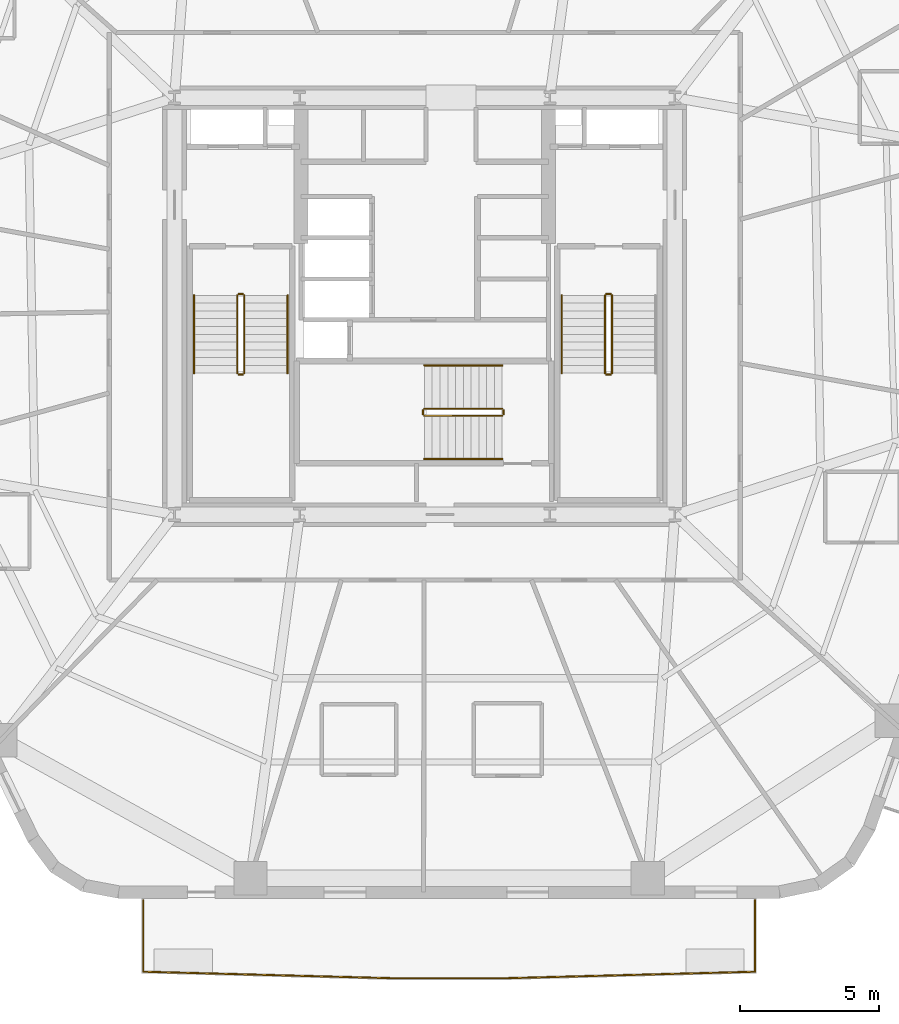
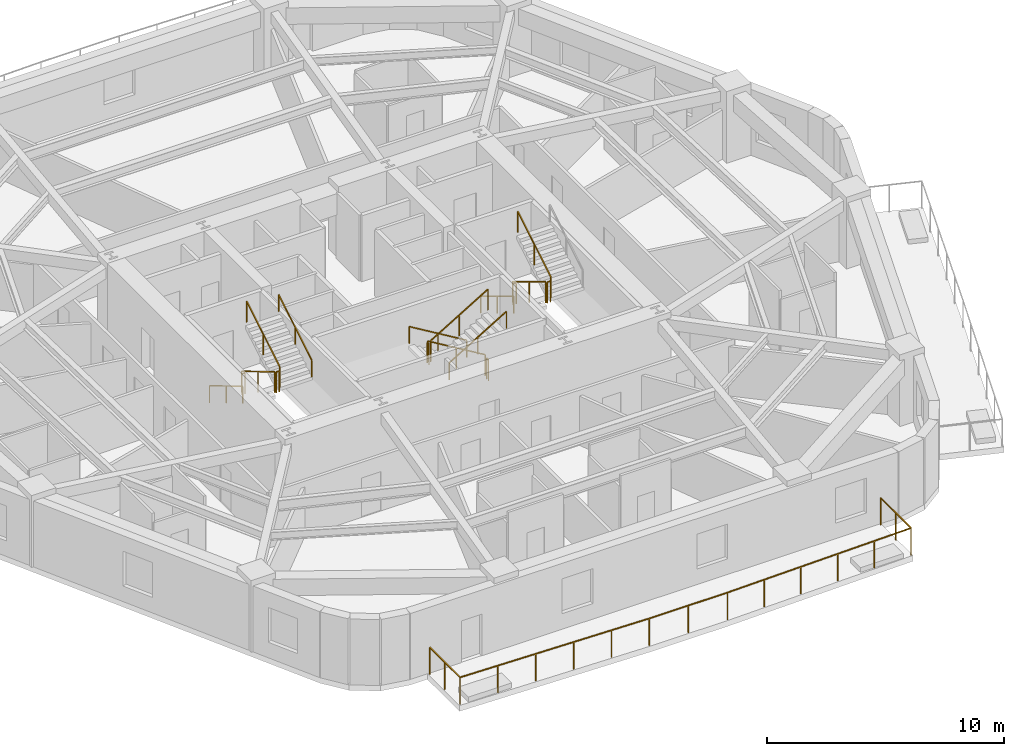
# One storey, part 7 of 8: 18 railings.
"""IFC4 building model written with IfcOpenShell, lengths in metres."""

from ifc_helpers import new_model, si_unit, direction, frame, origin, origin_2d, place, context, subcontext, project, spatial, rectangle, extrude, material, layer, layer_set, type_object, element, save


model = new_model("IFC4")

# Units and contexts
model_context = context("Model", 3, precision=1e-05, world=origin(), true_north=direction((0.0, 1.0)))
body_context = subcontext(model_context, "Body", "Model", "MODEL_VIEW")
ifc_project = project(units=[si_unit("LENGTHUNIT", "METRE"), si_unit("AREAUNIT", "SQUARE_METRE"), si_unit("VOLUMEUNIT", "CUBIC_METRE"), si_unit("PLANEANGLEUNIT", "RADIAN"), si_unit("MASSUNIT", "GRAM", prefix="KILO")], contexts=[model_context])

# Site, building, storey
site_placement = place(None, origin())
site = spatial("IfcSite", under=ifc_project, at=site_placement, CompositionType="ELEMENT")
building_placement = place(site_placement, origin())
building = spatial("IfcBuilding", under=site, at=building_placement, Name="Kilnhurst Terrace Hotel", CompositionType="ELEMENT")
storey_placement = place(building_placement, frame((0.0, 0.0, 109.89990234375)))
storey = spatial("IfcBuildingStorey", under=building, at=storey_placement, Name="L26", CompositionType="ELEMENT", Elevation=109.89990234375)

# Railings
ifc_material_1 = material(Name="Laminated SentryGlas and Stainless Steel AISI 316L Balustrade", Category="steel")
ifc_layer_1 = layer(ifc_material_1, 0.070068359375, Name="Laminated SentryGlas and Stainless Steel AISI 316L Balustrade")
ifc_layer_set_1 = layer_set([ifc_layer_1], Name="Laminated SentryGlas and Stainless Steel AISI 316L Balustrade")
railing_type_1 = type_object("IfcRailingType", Name="RLG-BAL-1420", PredefinedType="BALUSTRADE", material=ifc_layer_set_1)
railing_1_placement = place(storey_placement, frame((11.8837890625, -21.3798828125, 0.0)))
element("IfcRailing", 1, at=railing_1_placement, inside=storey, type_object=railing_type_1, Name="L26 Exterior Terrace Guardrail BAL-L1A.1", PredefinedType="BALUSTRADE", context=body_context, shape_type="SweptSolid", body=[
    extrude(rectangle(XDim=0.048095703125, YDim=0.048095703125, at=origin_2d()), frame((0.0, 0.0, 1.39599609375), z_axis=(0.0, -1.0, 0.0), x_axis=(1.0, 0.0, 0.0)), (0.0, 0.0, 1.0), 2.561767578125),
    extrude(rectangle(XDim=0.048095703125, YDim=0.048095703125, at=origin_2d()), frame((0.0, -2.561767578125, 1.39599609375), z_axis=(-0.999657105501, -0.026185328367, 0.0), x_axis=(0.026185328367, -0.999657105501, 0.0)), (0.0, 0.0, 1.0), 9.099853515625),
    extrude(rectangle(XDim=0.048095703125, YDim=0.048095703125, at=origin_2d()), frame((-9.0966796875, -2.800048828125, 1.39599609375), z_axis=(-1.0, 0.0, 0.0), x_axis=(0.0, -1.0, 0.0)), (0.0, 0.0, 1.0), 3.8134765625),
    extrude(rectangle(XDim=0.048095703125, YDim=0.048095703125, at=origin_2d()), frame((-12.91015625, -2.800048828125, 1.39599609375), z_axis=(-0.999657105501, 0.026185328367, 0.0), x_axis=(-0.026185328367, -0.999657105501, 0.0)), (0.0, 0.0, 1.0), 9.099853515625),
    extrude(rectangle(XDim=0.048095703125, YDim=0.048095703125, at=origin_2d()), frame((-22.0068359375, -2.561767578125, 1.39599609375), z_axis=(0.0, 1.0, 0.0), x_axis=(-1.0, 0.0, 0.0)), (0.0, 0.0, 1.0), 2.561767578125),
    extrude(rectangle(XDim=0.0419921875, YDim=0.0419921875, at=origin_2d()), origin(), (0.0, 0.0, 1.0), 1.371826171875),
    extrude(rectangle(XDim=0.0419921875, YDim=0.0419921875, at=origin_2d()), frame((0.0, -1.28076171875, 0.0)), (0.0, 0.0, 1.0), 1.371826171875),
    extrude(rectangle(XDim=0.0419921875, YDim=0.0419921875, at=origin_2d()), frame((0.0, -2.561767578125, 0.0)), (0.0, 0.0, 1.0), 1.371826171875),
    extrude(rectangle(XDim=0.0419921875, YDim=0.0419921875, at=origin_2d()), frame((-1.8193359375, -2.609375, 0.0)), (0.0, 0.0, 1.0), 1.371826171875),
    extrude(rectangle(XDim=0.0419921875, YDim=0.0419921875, at=origin_2d()), frame((-3.638671875, -2.656982421875, 0.0)), (0.0, 0.0, 1.0), 1.371826171875),
    extrude(rectangle(XDim=0.0419921875, YDim=0.0419921875, at=origin_2d()), frame((-5.4580078125, -2.704833984375, 0.0)), (0.0, 0.0, 1.0), 1.371826171875),
    extrude(rectangle(XDim=0.0419921875, YDim=0.0419921875, at=origin_2d()), frame((-7.27734375, -2.75244140625, 0.0)), (0.0, 0.0, 1.0), 1.371826171875),
    extrude(rectangle(XDim=0.0419921875, YDim=0.0419921875, at=origin_2d()), frame((-9.0966796875, -2.800048828125, 0.0)), (0.0, 0.0, 1.0), 1.371826171875),
    extrude(rectangle(XDim=0.0419921875, YDim=0.0419921875, at=origin_2d()), frame((-11.00341796875, -2.800048828125, 0.0)), (0.0, 0.0, 1.0), 1.371826171875),
    extrude(rectangle(XDim=0.0419921875, YDim=0.0419921875, at=origin_2d()), frame((-12.91015625, -2.800048828125, 0.0)), (0.0, 0.0, 1.0), 1.371826171875),
    extrude(rectangle(XDim=0.0419921875, YDim=0.0419921875, at=origin_2d()), frame((-14.7294921875, -2.75244140625, 0.0)), (0.0, 0.0, 1.0), 1.371826171875),
    extrude(rectangle(XDim=0.0419921875, YDim=0.0419921875, at=origin_2d()), frame((-16.548828125, -2.704833984375, 0.0)), (0.0, 0.0, 1.0), 1.371826171875),
    extrude(rectangle(XDim=0.0419921875, YDim=0.0419921875, at=origin_2d()), frame((-18.3681640625, -2.656982421875, 0.0)), (0.0, 0.0, 1.0), 1.371826171875),
    extrude(rectangle(XDim=0.0419921875, YDim=0.0419921875, at=origin_2d()), frame((-20.1875, -2.609375, 0.0)), (0.0, 0.0, 1.0), 1.371826171875),
    extrude(rectangle(XDim=0.0419921875, YDim=0.0419921875, at=origin_2d()), frame((-22.0068359375, -2.561767578125, 0.0)), (0.0, 0.0, 1.0), 1.371826171875),
    extrude(rectangle(XDim=0.0419921875, YDim=0.0419921875, at=origin_2d()), frame((-22.0068359375, -1.28076171875, 0.0)), (0.0, 0.0, 1.0), 1.371826171875),
    extrude(rectangle(XDim=0.0419921875, YDim=0.0419921875, at=origin_2d()), frame((-22.0068359375, 0.0, 0.0)), (0.0, 0.0, 1.0), 1.371826171875),
])
ifc_material_2 = material(Name="Powder-Coated Steel ASTM A500 Grade B", Category="steel")
ifc_layer_2 = layer(ifc_material_2, 0.050048828125, Name="Powder-Coated Steel ASTM A500 Grade B")
ifc_layer_set_2 = layer_set([ifc_layer_2], Name="Powder-Coated Steel ASTM A500 Grade B")
railing_type_2 = type_object("IfcRailingType", Name="RLG-ST-GRD-1100", PredefinedType="GUARDRAIL", material=ifc_layer_set_2)
railing_2_placement = place(storey_placement, frame((-6.739990234375, 0.389892578125, 0.168212890625)))
element("IfcRailing", 2, at=railing_2_placement, inside=storey, type_object=railing_type_2, Name="L26 ST-1 stair guard 1", PredefinedType="GUARDRAIL", context=body_context, shape_type="SweptSolid", body=[
    extrude(rectangle(XDim=0.048095703125, YDim=0.048095703125, at=origin_2d()), frame((0.0, 0.0, 1.076171875), z_axis=(0.0, -0.857222391501, 0.514946377315), x_axis=(1.0, 0.0, 0.0)), (0.0, 0.0, 1.0), 3.26611328125),
    extrude(rectangle(XDim=0.0419921875, YDim=0.0419921875, at=origin_2d()), origin(), (0.0, 0.0, 1.0), 1.052001953125),
    extrude(rectangle(XDim=0.0419921875, YDim=0.0419921875, at=origin_2d()), frame((0.0, -1.39990234375, 0.8408203125)), (0.0, 0.0, 1.0), 1.052001953125),
    extrude(rectangle(XDim=0.0419921875, YDim=0.0419921875, at=origin_2d()), frame((0.0, -2.7998046875, 1.681884765625)), (0.0, 0.0, 1.0), 1.052001953125),
])
railing_3_placement = place(storey_placement, frame((-6.68994140625, -2.4599609375, 1.85009765625)))
element("IfcRailing", 3, at=railing_3_placement, inside=storey, type_object=railing_type_2, Name="L26 ST-1 stair guard 2", PredefinedType="GUARDRAIL", context=body_context, shape_type="SweptSolid", body=[
    extrude(rectangle(XDim=0.048095703125, YDim=0.048095703125, at=origin_2d()), frame((0.0, 0.0, 1.076171875), z_axis=(1.0, 0.0, 0.0), x_axis=(0.0, 1.0, 0.0)), (0.0, 0.0, 1.0), 0.14990234375),
    extrude(rectangle(XDim=0.0419921875, YDim=0.0419921875, at=origin_2d()), origin(), (0.0, 0.0, 1.0), 1.052001953125),
    extrude(rectangle(XDim=0.0419921875, YDim=0.0419921875, at=origin_2d()), frame((0.14990234375, 0.0, 0.0)), (0.0, 0.0, 1.0), 1.052001953125),
])
railing_4_placement = place(storey_placement, frame((-6.489990234375, -2.409912109375, 2.018310546875)))
element("IfcRailing", 4, at=railing_4_placement, inside=storey, type_object=railing_type_2, Name="L26 ST-1 stair guard 3", PredefinedType="GUARDRAIL", context=body_context, shape_type="SweptSolid", body=[
    extrude(rectangle(XDim=0.048095703125, YDim=0.048095703125, at=origin_2d()), frame((0.0, 0.0, 1.076171875), z_axis=(0.0, 0.857222391501, 0.514946377315), x_axis=(-1.0, 0.0, 0.0)), (0.0, 0.0, 1.0), 3.26611328125),
    extrude(rectangle(XDim=0.0419921875, YDim=0.0419921875, at=origin_2d()), origin(), (0.0, 0.0, 1.0), 1.052001953125),
    extrude(rectangle(XDim=0.0419921875, YDim=0.0419921875, at=origin_2d()), frame((0.0, 1.39990234375, 0.8408203125)), (0.0, 0.0, 1.0), 1.052001953125),
    extrude(rectangle(XDim=0.0419921875, YDim=0.0419921875, at=origin_2d()), frame((0.0, 2.7998046875, 1.681884765625)), (0.0, 0.0, 1.0), 1.052001953125),
])
railing_5_placement = place(storey_placement, frame((-6.68994140625, 0.43994140625, 0.0)))
element("IfcRailing", 5, at=railing_5_placement, inside=storey, type_object=railing_type_2, Name="L26 ST-1 stair guard 4", PredefinedType="GUARDRAIL", context=body_context, shape_type="SweptSolid", body=[
    extrude(rectangle(XDim=0.048095703125, YDim=0.048095703125, at=origin_2d()), frame((0.0, 0.0, 1.076171875), z_axis=(1.0, 0.0, 0.0), x_axis=(0.0, 1.0, 0.0)), (0.0, 0.0, 1.0), 0.14990234375),
    extrude(rectangle(XDim=0.0419921875, YDim=0.0419921875, at=origin_2d()), origin(), (0.0, 0.0, 1.0), 1.052001953125),
    extrude(rectangle(XDim=0.0419921875, YDim=0.0419921875, at=origin_2d()), frame((0.14990234375, 0.0, 0.0)), (0.0, 0.0, 1.0), 1.052001953125),
])
railing_6_placement = place(storey_placement, frame((6.489990234375, 0.389892578125, 0.168212890625)))
element("IfcRailing", 6, at=railing_6_placement, inside=storey, type_object=railing_type_2, Name="L26 ST-2 stair guard 1", PredefinedType="GUARDRAIL", context=body_context, shape_type="SweptSolid", body=[
    extrude(rectangle(XDim=0.048095703125, YDim=0.048095703125, at=origin_2d()), frame((0.0, 0.0, 1.076171875), z_axis=(0.0, -0.857222391501, 0.514946377315), x_axis=(1.0, 0.0, 0.0)), (0.0, 0.0, 1.0), 3.26611328125),
    extrude(rectangle(XDim=0.0419921875, YDim=0.0419921875, at=origin_2d()), origin(), (0.0, 0.0, 1.0), 1.052001953125),
    extrude(rectangle(XDim=0.0419921875, YDim=0.0419921875, at=origin_2d()), frame((0.0, -1.39990234375, 0.8408203125)), (0.0, 0.0, 1.0), 1.052001953125),
    extrude(rectangle(XDim=0.0419921875, YDim=0.0419921875, at=origin_2d()), frame((0.0, -2.7998046875, 1.681884765625)), (0.0, 0.0, 1.0), 1.052001953125),
])
railing_7_placement = place(storey_placement, frame((6.5400390625, -2.4599609375, 1.85009765625)))
element("IfcRailing", 7, at=railing_7_placement, inside=storey, type_object=railing_type_2, Name="L26 ST-2 stair guard 2", PredefinedType="GUARDRAIL", context=body_context, shape_type="SweptSolid", body=[
    extrude(rectangle(XDim=0.048095703125, YDim=0.048095703125, at=origin_2d()), frame((0.0, 0.0, 1.076171875), z_axis=(1.0, 0.0, 0.0), x_axis=(0.0, 1.0, 0.0)), (0.0, 0.0, 1.0), 0.14990234375),
    extrude(rectangle(XDim=0.0419921875, YDim=0.0419921875, at=origin_2d()), origin(), (0.0, 0.0, 1.0), 1.052001953125),
    extrude(rectangle(XDim=0.0419921875, YDim=0.0419921875, at=origin_2d()), frame((0.14990234375, 0.0, 0.0)), (0.0, 0.0, 1.0), 1.052001953125),
])
railing_8_placement = place(storey_placement, frame((6.739990234375, -2.409912109375, 2.018310546875)))
element("IfcRailing", 8, at=railing_8_placement, inside=storey, type_object=railing_type_2, Name="L26 ST-2 stair guard 3", PredefinedType="GUARDRAIL", context=body_context, shape_type="SweptSolid", body=[
    extrude(rectangle(XDim=0.048095703125, YDim=0.048095703125, at=origin_2d()), frame((0.0, 0.0, 1.076171875), z_axis=(0.0, 0.857222391501, 0.514946377315), x_axis=(-1.0, 0.0, 0.0)), (0.0, 0.0, 1.0), 3.26611328125),
    extrude(rectangle(XDim=0.0419921875, YDim=0.0419921875, at=origin_2d()), origin(), (0.0, 0.0, 1.0), 1.052001953125),
    extrude(rectangle(XDim=0.0419921875, YDim=0.0419921875, at=origin_2d()), frame((0.0, 1.39990234375, 0.8408203125)), (0.0, 0.0, 1.0), 1.052001953125),
    extrude(rectangle(XDim=0.0419921875, YDim=0.0419921875, at=origin_2d()), frame((0.0, 2.7998046875, 1.681884765625)), (0.0, 0.0, 1.0), 1.052001953125),
])
railing_9_placement = place(storey_placement, frame((6.5400390625, 0.43994140625, 0.0)))
element("IfcRailing", 9, at=railing_9_placement, inside=storey, type_object=railing_type_2, Name="L26 ST-2 stair guard 4", PredefinedType="GUARDRAIL", context=body_context, shape_type="SweptSolid", body=[
    extrude(rectangle(XDim=0.048095703125, YDim=0.048095703125, at=origin_2d()), frame((0.0, 0.0, 1.076171875), z_axis=(1.0, 0.0, 0.0), x_axis=(0.0, 1.0, 0.0)), (0.0, 0.0, 1.0), 0.14990234375),
    extrude(rectangle(XDim=0.0419921875, YDim=0.0419921875, at=origin_2d()), origin(), (0.0, 0.0, 1.0), 1.052001953125),
    extrude(rectangle(XDim=0.0419921875, YDim=0.0419921875, at=origin_2d()), frame((0.14990234375, 0.0, 0.0)), (0.0, 0.0, 1.0), 1.052001953125),
])
railing_10_placement = place(storey_placement, frame((2.7900390625, -3.68994140625, 0.168212890625)))
element("IfcRailing", 10, at=railing_10_placement, inside=storey, type_object=railing_type_2, Name="L26 ST-3 stair guard 1", PredefinedType="GUARDRAIL", context=body_context, shape_type="SweptSolid", body=[
    extrude(rectangle(XDim=0.048095703125, YDim=0.048095703125, at=origin_2d()), frame((0.0, 0.0, 1.076171875), z_axis=(-0.857242210791, 0.0, 0.514913383045), x_axis=(0.0, -1.0, 0.0)), (0.0, 0.0, 1.0), 3.266357421875),
    extrude(rectangle(XDim=0.0419921875, YDim=0.0419921875, at=origin_2d()), origin(), (0.0, 0.0, 1.0), 1.052001953125),
    extrude(rectangle(XDim=0.0419921875, YDim=0.0419921875, at=origin_2d()), frame((-1.39990234375, 0.0, 0.8408203125)), (0.0, 0.0, 1.0), 1.052001953125),
    extrude(rectangle(XDim=0.0419921875, YDim=0.0419921875, at=origin_2d()), frame((-2.800048828125, 0.0, 1.681884765625)), (0.0, 0.0, 1.0), 1.052001953125),
])
railing_11_placement = place(storey_placement, frame((-0.06005859375, -3.739990234375, 1.85009765625)))
element("IfcRailing", 11, at=railing_11_placement, inside=storey, type_object=railing_type_2, Name="L26 ST-3 stair guard 2", PredefinedType="GUARDRAIL", context=body_context, shape_type="SweptSolid", body=[
    extrude(rectangle(XDim=0.048095703125, YDim=0.048095703125, at=origin_2d()), frame((0.0, 0.0, 1.076171875), z_axis=(0.0, -1.0, 0.0), x_axis=(1.0, 0.0, 0.0)), (0.0, 0.0, 1.0), 0.14990234375),
    extrude(rectangle(XDim=0.0419921875, YDim=0.0419921875, at=origin_2d()), origin(), (0.0, 0.0, 1.0), 1.052001953125),
    extrude(rectangle(XDim=0.0419921875, YDim=0.0419921875, at=origin_2d()), frame((0.0, -0.14990234375, 0.0)), (0.0, 0.0, 1.0), 1.052001953125),
])
railing_12_placement = place(storey_placement, frame((-0.010009765625, -3.93994140625, 2.018310546875)))
element("IfcRailing", 12, at=railing_12_placement, inside=storey, type_object=railing_type_2, Name="L26 ST-3 stair guard 3", PredefinedType="GUARDRAIL", context=body_context, shape_type="SweptSolid", body=[
    extrude(rectangle(XDim=0.048095703125, YDim=0.048095703125, at=origin_2d()), frame((0.0, 0.0, 1.076171875), z_axis=(0.857242210791, 0.0, 0.514913383045), x_axis=(0.0, 1.0, 0.0)), (0.0, 0.0, 1.0), 3.266357421875),
    extrude(rectangle(XDim=0.0419921875, YDim=0.0419921875, at=origin_2d()), origin(), (0.0, 0.0, 1.0), 1.052001953125),
    extrude(rectangle(XDim=0.0419921875, YDim=0.0419921875, at=origin_2d()), frame((1.39990234375, 0.0, 0.8408203125)), (0.0, 0.0, 1.0), 1.052001953125),
    extrude(rectangle(XDim=0.0419921875, YDim=0.0419921875, at=origin_2d()), frame((2.800048828125, 0.0, 1.681884765625)), (0.0, 0.0, 1.0), 1.052001953125),
])
railing_13_placement = place(storey_placement, frame((2.840087890625, -3.739990234375, 0.0)))
element("IfcRailing", 13, at=railing_13_placement, inside=storey, type_object=railing_type_2, Name="L26 ST-3 stair guard 4", PredefinedType="GUARDRAIL", context=body_context, shape_type="SweptSolid", body=[
    extrude(rectangle(XDim=0.048095703125, YDim=0.048095703125, at=origin_2d()), frame((0.0, 0.0, 1.076171875), z_axis=(0.0, -1.0, 0.0), x_axis=(1.0, 0.0, 0.0)), (0.0, 0.0, 1.0), 0.14990234375),
    extrude(rectangle(XDim=0.0419921875, YDim=0.0419921875, at=origin_2d()), origin(), (0.0, 0.0, 1.0), 1.052001953125),
    extrude(rectangle(XDim=0.0419921875, YDim=0.0419921875, at=origin_2d()), frame((0.0, -0.14990234375, 0.0)), (0.0, 0.0, 1.0), 1.052001953125),
])
ifc_material_3 = material(Name="Brushed Stainless Steel AISI 304", Category="steel")
ifc_layer_3 = layer(ifc_material_3, 0.048095703125, Name="Brushed Stainless Steel AISI 304")
ifc_layer_set_3 = layer_set([ifc_layer_3], Name="Brushed Stainless Steel AISI 304")
railing_type_3 = type_object("IfcRailingType", Name="RLG-ST-HRL-900", PredefinedType="HANDRAIL", material=ifc_layer_set_3)
railing_14_placement = place(storey_placement, frame((-8.300048828125, 0.389892578125, 0.168212890625)))
element("IfcRailing", 14, at=railing_14_placement, inside=storey, type_object=railing_type_3, Name="L26 ST-1 stair handrail 1", PredefinedType="HANDRAIL", context=body_context, shape_type="SweptSolid", body=[
    extrude(rectangle(XDim=0.048095703125, YDim=0.048095703125, at=origin_2d()), frame((0.0, 0.0, 0.8759765625), z_axis=(0.0, -0.857222391501, 0.514946377315), x_axis=(1.0, 0.0, 0.0)), (0.0, 0.0, 1.0), 3.26611328125),
    extrude(rectangle(XDim=0.0419921875, YDim=0.0419921875, at=origin_2d()), origin(), (0.0, 0.0, 1.0), 0.851806640625),
    extrude(rectangle(XDim=0.0419921875, YDim=0.0419921875, at=origin_2d()), frame((0.0, -1.39990234375, 0.8408203125)), (0.0, 0.0, 1.0), 0.851806640625),
    extrude(rectangle(XDim=0.0419921875, YDim=0.0419921875, at=origin_2d()), frame((0.0, -2.7998046875, 1.681884765625)), (0.0, 0.0, 1.0), 0.851806640625),
])
railing_15_placement = place(storey_placement, frame((-4.929931640625, -2.409912109375, 2.018310546875)))
element("IfcRailing", 15, at=railing_15_placement, inside=storey, type_object=railing_type_3, Name="L26 ST-1 stair handrail 2", PredefinedType="HANDRAIL", context=body_context, shape_type="SweptSolid", body=[
    extrude(rectangle(XDim=0.048095703125, YDim=0.048095703125, at=origin_2d()), frame((0.0, 0.0, 0.8759765625), z_axis=(0.0, 0.857222391501, 0.514946377315), x_axis=(-1.0, 0.0, 0.0)), (0.0, 0.0, 1.0), 3.26611328125),
    extrude(rectangle(XDim=0.0419921875, YDim=0.0419921875, at=origin_2d()), origin(), (0.0, 0.0, 1.0), 0.851806640625),
    extrude(rectangle(XDim=0.0419921875, YDim=0.0419921875, at=origin_2d()), frame((0.0, 1.39990234375, 0.8408203125)), (0.0, 0.0, 1.0), 0.851806640625),
    extrude(rectangle(XDim=0.0419921875, YDim=0.0419921875, at=origin_2d()), frame((0.0, 2.7998046875, 1.681884765625)), (0.0, 0.0, 1.0), 0.851806640625),
])
railing_16_placement = place(storey_placement, frame((4.929931640625, 0.389892578125, 0.168212890625)))
element("IfcRailing", 16, at=railing_16_placement, inside=storey, type_object=railing_type_3, Name="L26 ST-2 stair handrail 1", PredefinedType="HANDRAIL", context=body_context, shape_type="SweptSolid", body=[
    extrude(rectangle(XDim=0.048095703125, YDim=0.048095703125, at=origin_2d()), frame((0.0, 0.0, 0.8759765625), z_axis=(0.0, -0.857222391501, 0.514946377315), x_axis=(1.0, 0.0, 0.0)), (0.0, 0.0, 1.0), 3.26611328125),
    extrude(rectangle(XDim=0.0419921875, YDim=0.0419921875, at=origin_2d()), origin(), (0.0, 0.0, 1.0), 0.851806640625),
    extrude(rectangle(XDim=0.0419921875, YDim=0.0419921875, at=origin_2d()), frame((0.0, -1.39990234375, 0.8408203125)), (0.0, 0.0, 1.0), 0.851806640625),
    extrude(rectangle(XDim=0.0419921875, YDim=0.0419921875, at=origin_2d()), frame((0.0, -2.7998046875, 1.681884765625)), (0.0, 0.0, 1.0), 0.851806640625),
])
railing_17_placement = place(storey_placement, frame((2.7900390625, -2.1298828125, 0.168212890625)))
element("IfcRailing", 17, at=railing_17_placement, inside=storey, type_object=railing_type_3, Name="L26 ST-3 stair handrail 1", PredefinedType="HANDRAIL", context=body_context, shape_type="SweptSolid", body=[
    extrude(rectangle(XDim=0.048095703125, YDim=0.048095703125, at=origin_2d()), frame((0.0, 0.0, 0.8759765625), z_axis=(-0.857242210791, 0.0, 0.514913383045), x_axis=(0.0, -1.0, 0.0)), (0.0, 0.0, 1.0), 3.266357421875),
    extrude(rectangle(XDim=0.0419921875, YDim=0.0419921875, at=origin_2d()), origin(), (0.0, 0.0, 1.0), 0.851806640625),
    extrude(rectangle(XDim=0.0419921875, YDim=0.0419921875, at=origin_2d()), frame((-1.39990234375, 0.0, 0.8408203125)), (0.0, 0.0, 1.0), 0.851806640625),
    extrude(rectangle(XDim=0.0419921875, YDim=0.0419921875, at=origin_2d()), frame((-2.800048828125, 0.0, 1.681884765625)), (0.0, 0.0, 1.0), 0.851806640625),
])
railing_18_placement = place(storey_placement, frame((-0.010009765625, -5.5, 2.018310546875)))
element("IfcRailing", 18, at=railing_18_placement, inside=storey, type_object=railing_type_3, Name="L26 ST-3 stair handrail 2", PredefinedType="HANDRAIL", context=body_context, shape_type="SweptSolid", body=[
    extrude(rectangle(XDim=0.048095703125, YDim=0.048095703125, at=origin_2d()), frame((0.0, 0.0, 0.8759765625), z_axis=(0.857242210791, 0.0, 0.514913383045), x_axis=(0.0, 1.0, 0.0)), (0.0, 0.0, 1.0), 3.266357421875),
    extrude(rectangle(XDim=0.0419921875, YDim=0.0419921875, at=origin_2d()), origin(), (0.0, 0.0, 1.0), 0.851806640625),
    extrude(rectangle(XDim=0.0419921875, YDim=0.0419921875, at=origin_2d()), frame((1.39990234375, 0.0, 0.8408203125)), (0.0, 0.0, 1.0), 0.851806640625),
    extrude(rectangle(XDim=0.0419921875, YDim=0.0419921875, at=origin_2d()), frame((2.800048828125, 0.0, 1.681884765625)), (0.0, 0.0, 1.0), 0.851806640625),
])

save(model, "model.ifc")
